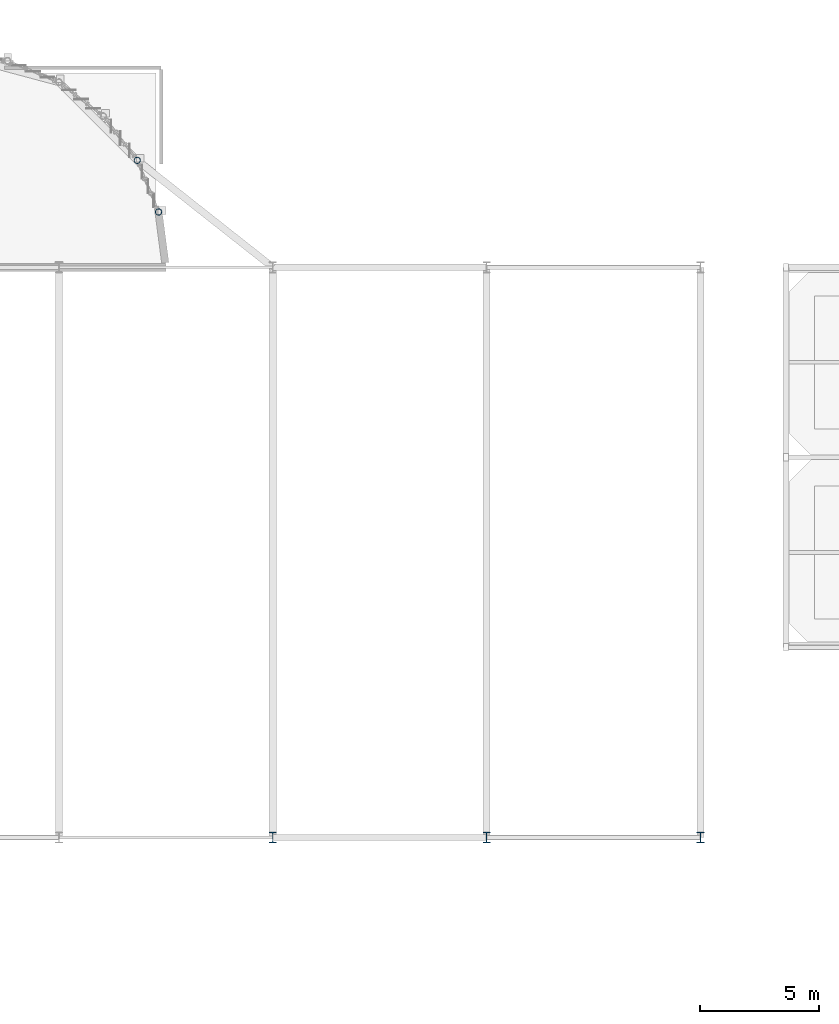
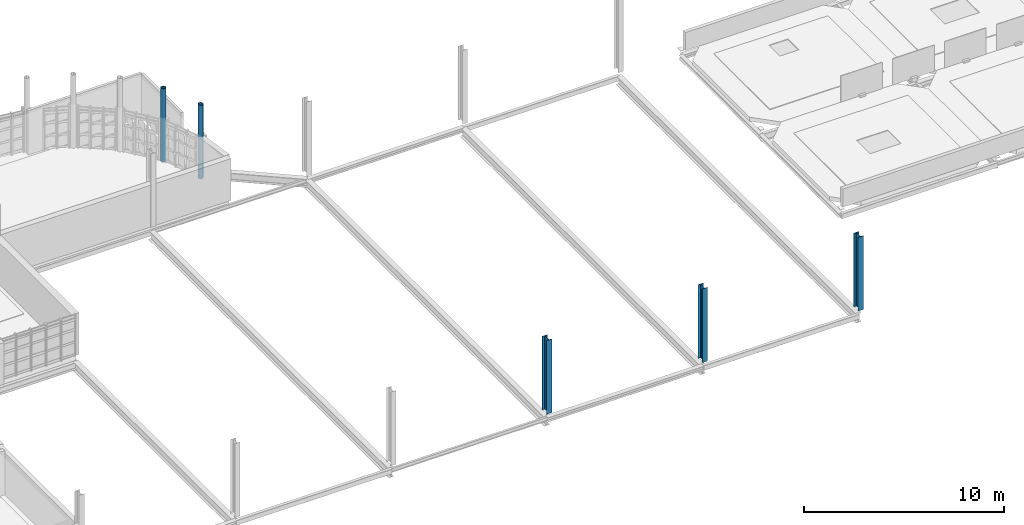
# One storey, part 4 of 44: 5 columns.
"""IFC4 building model written with IfcOpenShell, lengths in metres."""

from ifc_helpers import new_model, si_unit, direction, frame, origin, origin_2d, place, context, subcontext, project, spatial, hollow_circle, i_section, extrude, material, material_profile, profile_set, type_object, element, save


model = new_model("IFC4")

# Units and contexts
model_context = context("Model", 3, precision=1e-05, world=origin(), true_north=direction((0.0, 1.0)))
body_context = subcontext(model_context, "Body", "Model", "MODEL_VIEW")
ifc_project = project(units=[si_unit("LENGTHUNIT", "METRE"), si_unit("AREAUNIT", "SQUARE_METRE"), si_unit("VOLUMEUNIT", "CUBIC_METRE"), si_unit("PLANEANGLEUNIT", "RADIAN"), si_unit("MASSUNIT", "GRAM", prefix="KILO")], contexts=[model_context])

# Site, building, storey
site_placement = place(None, origin())
site = spatial("IfcSite", under=ifc_project, at=site_placement, CompositionType="ELEMENT")
building_placement = place(site_placement, origin())
building = spatial("IfcBuilding", under=site, at=building_placement, Name="Serraforn Aerial Cableway Station", CompositionType="ELEMENT")
storey_placement = place(building_placement, frame((0.0, 0.0, 13.800048828125)))
storey = spatial("IfcBuildingStorey", under=building, at=storey_placement, Name="L03", CompositionType="ELEMENT", Elevation=13.800048828125)

# Columns
ifc_material = material(Name="Steel S355J2", Category="steel")
ifc_material_profile_1 = material_profile(ifc_material, hollow_circle(Radius=0.136474609375, WallThickness=0.012451171875, at=origin_2d()), Name="CHS 273.0x12.5")
ifc_profile_set_1 = profile_set([ifc_material_profile_1], Name="Steel S355J2")
column_type_1 = type_object("IfcColumnType", Name="COL-ST-CHS273", PredefinedType="COLUMN", material=ifc_profile_set_1)
for number, where, z_axis, x_axis, name in (
    (1, (66.894287109375, 46.5, 0.0), (0.0, 0.0, 1.0), (1.0, 0.0, 0.0), "Apse Radial Column L03-10"),
    (2, (67.793212890625, 44.329345703125, 0.0), (0.0, 0.0, 1.0), (1.0, 0.0, 0.0), "Apse Radial Column L03-11"),
):
    element("IfcColumn", number, at=place(storey_placement, frame(where, z_axis=z_axis, x_axis=x_axis)), inside=storey, type_object=column_type_1, Name=name, PredefinedType="COLUMN", context=body_context, shape_type="SweptSolid", body=[
        extrude(hollow_circle(Radius=0.136474609375, WallThickness=0.012451171875, at=origin_2d()), origin(), (0.0, 0.0, 1.0), 4.5),
    ])
ifc_material_profile_2 = material_profile(ifc_material, i_section(OverallWidth=0.300048828125, OverallDepth=0.449951171875, WebThickness=0.013916015625, FlangeThickness=0.02587890625, FilletRadius=0.027099609375, at=origin_2d()), Name="HEB 450")
ifc_profile_set_2 = profile_set([ifc_material_profile_2], Name="Steel S355J2")
column_type_2 = type_object("IfcColumnType", Name="COL-ST-HEB450", PredefinedType="COLUMN", material=ifc_profile_set_2)
for number, where, z_axis, x_axis, name in (
    (3, (72.60009765625, 18.0, 0.0), (0.0, 0.0, 1.0), (1.0, 0.0, 0.0), "Column CV L03 10-C"),
    (4, (81.60009765625, 18.0, 0.0), (0.0, 0.0, 1.0), (1.0, 0.0, 0.0), "Column CV L03 11-C"),
    (5, (90.60009765625, 18.0, 0.0), (0.0, 0.0, 1.0), (1.0, 0.0, 0.0), "Column CV L03 12-C"),
):
    element("IfcColumn", number, at=place(storey_placement, frame(where, z_axis=z_axis, x_axis=x_axis)), inside=storey, type_object=column_type_2, Name=name, PredefinedType="COLUMN", context=body_context, shape_type="SweptSolid", body=[
        extrude(i_section(OverallWidth=0.300048828125, OverallDepth=0.449951171875, WebThickness=0.013916015625, FlangeThickness=0.02587890625, FilletRadius=0.027099609375, at=origin_2d()), origin(), (0.0, 0.0, 1.0), 4.5),
    ])

save(model, "model.ifc")
